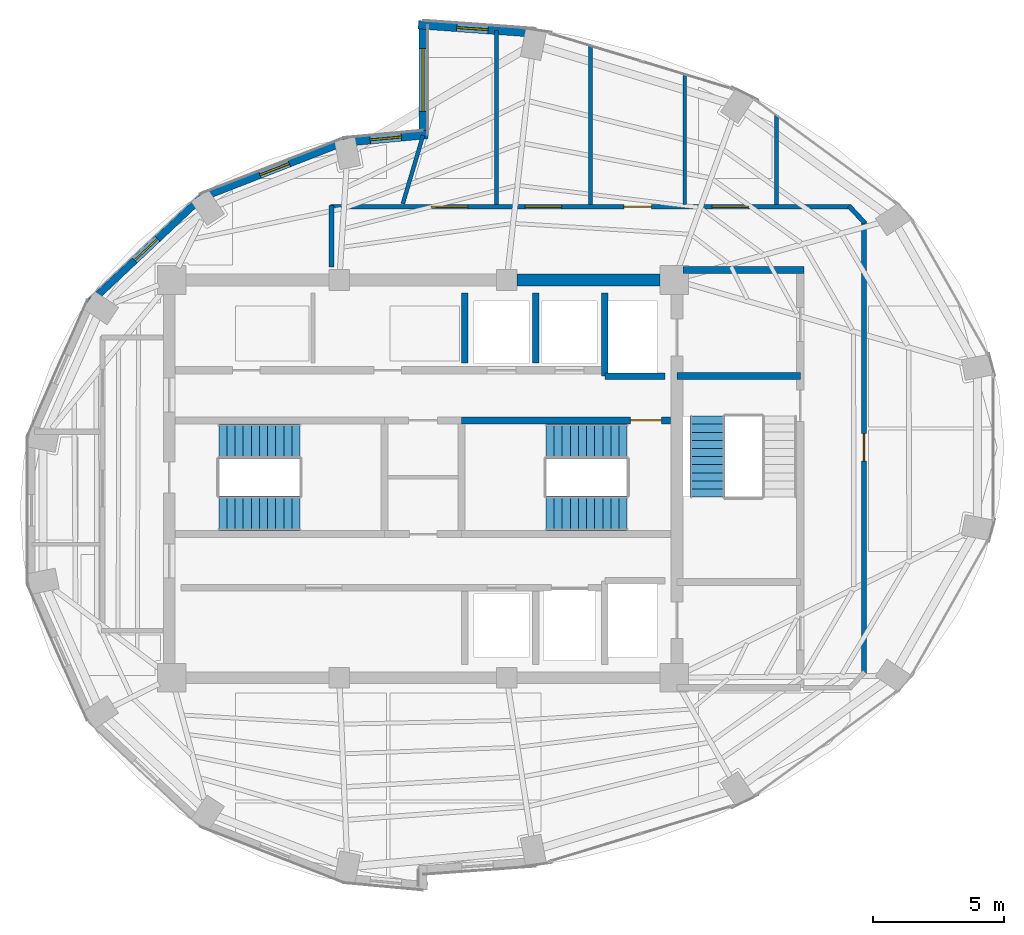
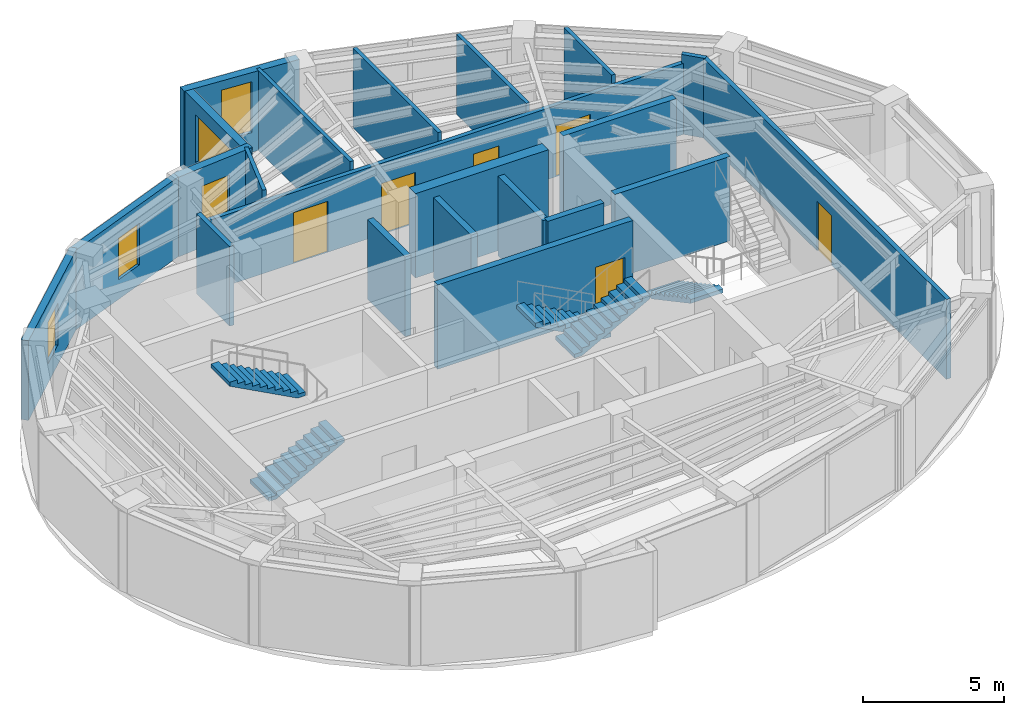
# One storey, part 10 of 13: 22 walls, 6 doors, 5 stair flights, 5 windows, 11 openings, 3 elements without a shape of their own.
"""IFC4 building model written with IfcOpenShell, lengths in metres."""

from ifc_helpers import new_model, si_unit, direction, frame, frame_2d, origin, place, context, subcontext, project, spatial, polyline, rectangle, outline, extrude, material, layer, layer_set, type_object, element, fill, aggregate, save


model = new_model("IFC4")

# Units and contexts
model_context = context("Model", 3, precision=1e-05, world=origin(), true_north=direction((0.0, 1.0)))
body_context = subcontext(model_context, "Body", "Model", "MODEL_VIEW")
ifc_project = project(units=[si_unit("LENGTHUNIT", "METRE"), si_unit("AREAUNIT", "SQUARE_METRE"), si_unit("VOLUMEUNIT", "CUBIC_METRE"), si_unit("PLANEANGLEUNIT", "RADIAN"), si_unit("MASSUNIT", "GRAM", prefix="KILO")], contexts=[model_context])

# Site, building, storey
site_placement = place(None, origin())
site = spatial("IfcSite", under=ifc_project, at=site_placement, CompositionType="ELEMENT")
building_placement = place(site_placement, origin())
building = spatial("IfcBuilding", under=site, at=building_placement, Name="Lazwardi Medical Tower", CompositionType="ELEMENT")
storey_placement = place(building_placement, frame((0.0, 0.0, 295.152099609375)))
storey = spatial("IfcBuildingStorey", under=building, at=storey_placement, Name="L77", CompositionType="ELEMENT", Elevation=295.152099609375)

# Wall
ifc_material_1 = material(Name="Fire-rated gypsum board on steel stud", Category="steel")
ifc_layer_1 = layer(ifc_material_1, 0.179931640625)
ifc_layer_set_1 = layer_set([ifc_layer_1], Name="Fire-rated gypsum board on steel stud")
wall_type_1 = type_object("IfcWallType", Name="WL-COR-180", PredefinedType="PARTITIONING", material=ifc_layer_set_1)
wall_1_placement = place(storey_placement, frame((32.5, 36.090087890625, 0.0), z_axis=(0.0, 0.0, 1.0), x_axis=(0.0, 1.0, 0.0)))
element("IfcWall", 1, at=wall_1_placement, inside=storey, type_object=wall_type_1, Name="L77 Corridor partition 1", PredefinedType="PARTITIONING", context=body_context, shape_type="SweptSolid", body=[
    extrude(rectangle(XDim=2.349853515625, YDim=0.179931640625, at=frame_2d((1.1748046875, 0.0))), origin(), (0.0, 0.0, 1.0), 3.447998046875),
])

# Wall, openings, doors
wall_2_placement = place(storey_placement, frame((32.4599609375, 38.39990234375, 0.0), z_axis=(0.0, 0.0, 1.0), x_axis=(1.0, 0.0, 0.0)))
wall_2 = element("IfcWall", 2, at=wall_2_placement, inside=storey, type_object=wall_type_1, Name="L77 Corridor partition 2", PredefinedType="PARTITIONING", context=body_context, shape_type="SweptSolid", body=[
    extrude(rectangle(XDim=19.879150390625, YDim=0.179931640625, at=frame_2d((9.939453125, 0.0))), origin(), (0.0, 0.0, 1.0), 3.072998046875),
])
opening_1_placement = place(wall_2_placement, frame((14.590087890625, 0.0, 0.0)))
opening_1 = element("IfcOpeningElement", 3, at=opening_1_placement, cuts=wall_2, Name="Opening D-L77-012", PredefinedType="OPENING", context=body_context, shape_type="SweptSolid", body=[
    extrude(rectangle(XDim=1.39990234375, YDim=2.199951171875, at=frame_2d((0.699951171875, 1.10009765625))), frame((0.0, 0.099853515625, 0.0), z_axis=(0.0, -1.0, 0.0), x_axis=(1.0, 0.0, 0.0)), (0.0, 0.0, 1.0), 0.199951171875),
])
opening_2_placement = place(wall_2_placement, frame((11.215087890625, 0.0, 0.0)))
opening_2 = element("IfcOpeningElement", 4, at=opening_2_placement, cuts=wall_2, Name="Opening D-L77-013", PredefinedType="OPENING", context=body_context, shape_type="SweptSolid", body=[
    extrude(rectangle(XDim=1.050048828125, YDim=2.14990234375, at=frame_2d((0.52490234375, 1.074951171875))), frame((0.0, 0.099853515625, 0.0), z_axis=(0.0, -1.0, 0.0), x_axis=(1.0, 0.0, 0.0)), (0.0, 0.0, 1.0), 0.199951171875),
])
opening_3_placement = place(wall_2_placement, frame((7.43994140625, 0.0, 0.0)))
opening_3 = element("IfcOpeningElement", 5, at=opening_3_placement, cuts=wall_2, Name="Opening D-L77-014", PredefinedType="OPENING", context=body_context, shape_type="SweptSolid", body=[
    extrude(rectangle(XDim=1.39990234375, YDim=2.199951171875, at=frame_2d((0.699951171875, 1.10009765625))), frame((0.0, 0.099853515625, 0.0), z_axis=(0.0, -1.0, 0.0), x_axis=(1.0, 0.0, 0.0)), (0.0, 0.0, 1.0), 0.199951171875),
])
opening_4_placement = place(wall_2_placement, frame((3.853759765625, 0.0, 0.0)))
opening_4 = element("IfcOpeningElement", 6, at=opening_4_placement, cuts=wall_2, Name="Opening D-L77-015", PredefinedType="OPENING", context=body_context, shape_type="SweptSolid", body=[
    extrude(rectangle(XDim=1.39990234375, YDim=2.199951171875, at=frame_2d((0.699951171875, 1.10009765625))), frame((0.0, 0.099853515625, 0.0), z_axis=(0.0, -1.0, 0.0), x_axis=(1.0, 0.0, 0.0)), (0.0, 0.0, 1.0), 0.199951171875),
])
ifc_material_2 = material(Name="Anti-microbial laminate hospital leaf")
door_type_1 = type_object("IfcDoorType", Name="DR-BED-1400", OperationType="NOTDEFINED", PredefinedType="DOOR", material=ifc_material_2)
door_1_placement = place(opening_1_placement, origin())
door_1 = element("IfcDoor", 7, at=door_1_placement, inside=storey, type_object=door_type_1, Name="L77 Patient Day Lounge Door 03", OperationType="SINGLE_SWING_LEFT", OverallHeight=2.199951171875, OverallWidth=1.39990234375, PredefinedType="DOOR", context=body_context, shape_type="SweptSolid", body=[
    extrude(rectangle(XDim=1.39990234375, YDim=2.199951171875, at=frame_2d((0.699951171875, 1.10009765625))), frame((0.0, 0.02490234375, 0.0), z_axis=(0.0, -1.0, 0.0), x_axis=(1.0, 0.0, 0.0)), (0.0, 0.0, 1.0), 0.050048828125),
])
fill(opening_1, door_1)
door_2_placement = place(opening_3_placement, origin())
door_2 = element("IfcDoor", 8, at=door_2_placement, inside=storey, type_object=door_type_1, Name="L77 Rehabilitation Gymnasium Door 05", OperationType="SINGLE_SWING_LEFT", OverallHeight=2.199951171875, OverallWidth=1.39990234375, PredefinedType="DOOR", context=body_context, shape_type="SweptSolid", body=[
    extrude(rectangle(XDim=1.39990234375, YDim=2.199951171875, at=frame_2d((0.699951171875, 1.10009765625))), frame((0.0, 0.02490234375, 0.0), z_axis=(0.0, -1.0, 0.0), x_axis=(1.0, 0.0, 0.0)), (0.0, 0.0, 1.0), 0.050048828125),
])
fill(opening_3, door_2)
door_3_placement = place(opening_4_placement, origin())
door_3 = element("IfcDoor", 9, at=door_3_placement, inside=storey, type_object=door_type_1, Name="L77 Rehabilitation Gymnasium Door 06", OperationType="SINGLE_SWING_RIGHT", OverallHeight=2.199951171875, OverallWidth=1.39990234375, PredefinedType="DOOR", context=body_context, shape_type="SweptSolid", body=[
    extrude(rectangle(XDim=1.39990234375, YDim=2.199951171875, at=frame_2d((0.699951171875, 1.10009765625))), frame((0.0, 0.02490234375, 0.0), z_axis=(0.0, -1.0, 0.0), x_axis=(1.0, 0.0, 0.0)), (0.0, 0.0, 1.0), 0.050048828125),
])
fill(opening_4, door_3)
door_type_2 = type_object("IfcDoorType", Name="DR-CLN-1050", OperationType="NOTDEFINED", PredefinedType="DOOR", material=ifc_material_2)
door_4_placement = place(opening_2_placement, origin())
door_4 = element("IfcDoor", 10, at=door_4_placement, inside=storey, type_object=door_type_2, Name="L77 Outpatient Consultation Suite Door 04", OperationType="SINGLE_SWING_RIGHT", OverallHeight=2.14990234375, OverallWidth=1.050048828125, PredefinedType="DOOR", context=body_context, shape_type="SweptSolid", body=[
    extrude(rectangle(XDim=1.050048828125, YDim=2.14990234375, at=frame_2d((0.52490234375, 1.074951171875))), frame((0.0, 0.02490234375, 0.0), z_axis=(0.0, -1.0, 0.0), x_axis=(1.0, 0.0, 0.0)), (0.0, 0.0, 1.0), 0.050048828125),
])
fill(opening_2, door_4)

# Wall
wall_3_placement = place(storey_placement, frame((52.271728515625, 38.42919921875, 0.0), z_axis=(0.0, 0.0, 1.0), x_axis=(0.682475113459, -0.730908831188, 0.0)))
element("IfcWall", 11, at=wall_3_placement, inside=storey, type_object=wall_type_1, Name="L77 Corridor partition 3", PredefinedType="PARTITIONING", context=body_context, shape_type="SweptSolid", body=[
    extrude(rectangle(XDim=0.88720703125, YDim=0.179931640625, at=frame_2d((0.443603515625, 0.0))), origin(), (0.0, 0.0, 1.0), 3.447998046875),
])

# Wall, opening, door
wall_4_placement = place(storey_placement, frame((52.85009765625, 37.85009765625, 0.0), z_axis=(0.0, 0.0, 1.0), x_axis=(0.0, -1.0, 0.0)))
wall_4 = element("IfcWall", 12, at=wall_4_placement, inside=storey, type_object=wall_type_1, Name="L77 Corridor partition 4", PredefinedType="PARTITIONING", context=body_context, shape_type="SweptSolid", body=[
    extrude(rectangle(XDim=17.30029296875, YDim=0.179931640625, at=frame_2d((8.650146484375, 0.0))), origin(), (0.0, 0.0, 1.0), 3.447998046875),
])
opening_5_placement = place(wall_4_placement, frame((8.125, 0.0, 0.0)))
opening_5 = element("IfcOpeningElement", 13, at=opening_5_placement, cuts=wall_4, Name="Opening D-L77-011", PredefinedType="OPENING", context=body_context, shape_type="SweptSolid", body=[
    extrude(rectangle(XDim=1.050048828125, YDim=2.14990234375, at=frame_2d((0.52490234375, 1.074951171875))), frame((0.0, 0.099853515625, 0.0), z_axis=(0.0, -1.0, 0.0), x_axis=(1.0, 0.0, 0.0)), (0.0, 0.0, 1.0), 0.199951171875),
])
door_5_placement = place(opening_5_placement, origin())
door_5 = element("IfcDoor", 14, at=door_5_placement, inside=storey, type_object=door_type_2, Name="L77 Medical Duty Staff Room Door 02", OperationType="SINGLE_SWING_RIGHT", OverallHeight=2.14990234375, OverallWidth=1.050048828125, PredefinedType="DOOR", context=body_context, shape_type="SweptSolid", body=[
    extrude(rectangle(XDim=1.050048828125, YDim=2.14990234375, at=frame_2d((0.52490234375, 1.074951171875))), frame((0.0, 0.02490234375, 0.0), z_axis=(0.0, -1.0, 0.0), x_axis=(1.0, 0.0, 0.0)), (0.0, 0.0, 1.0), 0.050048828125),
])
fill(opening_5, door_5)

# Wall
ifc_material_3 = material(Name="Concrete C60/75", Category="concrete")
ifc_layer_2 = layer(ifc_material_3, 0.449951171875)
ifc_layer_set_2 = layer_set([ifc_layer_2], Name="Concrete C60/75")
wall_type_2 = type_object("IfcWallType", Name="WL-CORE-450", PredefinedType="SHEAR", material=ifc_layer_set_2)
wall_5_placement = place(storey_placement, frame((39.60009765625, 35.60009765625, 0.0), z_axis=(0.0, 0.0, 1.0), x_axis=(1.0, 0.0, 0.0)))
element("IfcWall", 15, at=wall_5_placement, inside=storey, type_object=wall_type_2, Name="Core wall CW-S4 N3 L77", PredefinedType="SHEAR", context=body_context, shape_type="SweptSolid", body=[
    extrude(rectangle(XDim=5.449951171875, YDim=0.449951171875, at=frame_2d((2.72509765625, 0.0))), origin(), (0.0, 0.0, 1.0), 3.64794921875),
])

# Wall, opening, window
ifc_material_4 = material(Name="Precast concrete C45/55", Category="concrete")
ifc_layer_3 = layer(ifc_material_4, 0.280029296875)
ifc_layer_set_3 = layer_set([ifc_layer_3], Name="Precast concrete C45/55")
wall_type_3 = type_object("IfcWallType", Name="WL-DRUM-280", PredefinedType="SOLIDWALL", material=ifc_layer_set_3)
wall_6_placement = place(storey_placement, frame((33.227783203125, 40.964111328125, 0.0), z_axis=(0.0, 0.0, 1.0), x_axis=(-0.931716550814, -0.36318627306, 0.0)))
wall_6 = element("IfcWall", 16, at=wall_6_placement, inside=storey, type_object=wall_type_3, Name="L77 West Drum Precast Wall 1", PredefinedType="SOLIDWALL", context=body_context, shape_type="SweptSolid", body=[
    extrude(rectangle(XDim=6.22412109375, YDim=0.280029296875, at=frame_2d((3.112060546875, 0.0))), origin(), (0.0, 0.0, 1.0), 3.447998046875),
])
opening_6_placement = place(wall_6_placement, frame((2.511962890625, 0.0, 0.85009765625)))
opening_6 = element("IfcOpeningElement", 17, at=opening_6_placement, cuts=wall_6, Name="Opening WN-04", PredefinedType="OPENING", context=body_context, shape_type="SweptSolid", body=[
    extrude(rectangle(XDim=1.199951171875, YDim=1.800048828125, at=frame_2d((0.60009765625, 0.89990234375))), frame((0.0, 0.14990234375, 0.0), z_axis=(0.0, -1.0, 0.0), x_axis=(1.0, 0.0, 0.0)), (0.0, 0.0, 1.0), 0.300048828125),
])
ifc_material_5 = material(Name="Low-e bronze solar control double glazing", Category="glass")
window_type_1 = type_object("IfcWindowType", Name="WIN-DRUM-1200", PartitioningType="SINGLE_PANEL", PredefinedType="WINDOW", material=ifc_material_5)
window_1_placement = place(opening_6_placement, origin())
window_1 = element("IfcWindow", 18, at=window_1_placement, inside=storey, type_object=window_type_1, Name="L77 West Drum Window 1", OverallHeight=1.800048828125, OverallWidth=1.199951171875, PartitioningType="SINGLE_PANEL", PredefinedType="WINDOW", context=body_context, shape_type="SweptSolid", body=[
    extrude(rectangle(XDim=1.199951171875, YDim=1.800048828125, at=frame_2d((0.60009765625, 0.89990234375))), frame((0.0, 0.030029296875, 0.0), z_axis=(0.0, -1.0, 0.0), x_axis=(1.0, 0.0, 0.0)), (0.0, 0.0, 1.0), 0.06005859375),
])
fill(opening_6, window_1)

wall_7_placement = place(storey_placement, frame((27.5947265625, 38.808349609375, 0.0), z_axis=(0.0, 0.0, 1.0), x_axis=(-0.728251519923, -0.685309947199, 0.0)))
wall_7 = element("IfcWall", 19, at=wall_7_placement, inside=storey, type_object=wall_type_3, Name="L77 West Drum Precast Wall 2", PredefinedType="SOLIDWALL", context=body_context, shape_type="SweptSolid", body=[
    extrude(rectangle(XDim=5.98095703125, YDim=0.280029296875, at=frame_2d((2.990478515625, 0.0))), origin(), (0.0, 0.0, 1.0), 3.447998046875),
])
opening_7_placement = place(wall_7_placement, frame((2.390625, 0.0, 0.85009765625)))
opening_7 = element("IfcOpeningElement", 20, at=opening_7_placement, cuts=wall_7, Name="Opening WN-04", PredefinedType="OPENING", context=body_context, shape_type="SweptSolid", body=[
    extrude(rectangle(XDim=1.199951171875, YDim=1.800048828125, at=frame_2d((0.60009765625, 0.89990234375))), frame((0.0, 0.14990234375, 0.0), z_axis=(0.0, -1.0, 0.0), x_axis=(1.0, 0.0, 0.0)), (0.0, 0.0, 1.0), 0.300048828125),
])
window_2_placement = place(opening_7_placement, origin())
window_2 = element("IfcWindow", 21, at=window_2_placement, inside=storey, type_object=window_type_1, Name="L77 West Drum Window 2", OverallHeight=1.800048828125, OverallWidth=1.199951171875, PartitioningType="SINGLE_PANEL", PredefinedType="WINDOW", context=body_context, shape_type="SweptSolid", body=[
    extrude(rectangle(XDim=1.199951171875, YDim=1.800048828125, at=frame_2d((0.60009765625, 0.89990234375))), frame((0.0, 0.030029296875, 0.0), z_axis=(0.0, -1.0, 0.0), x_axis=(1.0, 0.0, 0.0)), (0.0, 0.0, 1.0), 0.06005859375),
])
fill(opening_7, window_2)

ifc_layer_4 = layer(ifc_material_4, 0.320068359375)
ifc_layer_set_4 = layer_set([ifc_layer_4], Name="Precast concrete C45/55")
wall_type_4 = type_object("IfcWallType", Name="WL-IWAN-320", PredefinedType="SOLIDWALL", material=ifc_layer_set_4)
wall_8_placement = place(storey_placement, frame((40.349609375, 45.0263671875, 0.0), z_axis=(0.0, 0.0, 1.0), x_axis=(-0.997412917451, 0.071885131294, 0.0)))
wall_8 = element("IfcWall", 22, at=wall_8_placement, inside=storey, type_object=wall_type_4, Name="L77 Iwan Portal Return Wall NE_ret", PredefinedType="SOLIDWALL", context=body_context, shape_type="SweptSolid", body=[
    extrude(rectangle(XDim=4.540771484375, YDim=0.320068359375, at=frame_2d((2.2705078125, 0.0))), origin(), (0.0, 0.0, 1.0), 3.447998046875),
])
opening_8_placement = place(wall_8_placement, frame((1.8681640625, 0.0, 0.85009765625)))
opening_8 = element("IfcOpeningElement", 23, at=opening_8_placement, cuts=wall_8, Name="Opening WN-01", PredefinedType="OPENING", context=body_context, shape_type="SweptSolid", body=[
    extrude(rectangle(XDim=1.199951171875, YDim=2.199951171875, at=frame_2d((0.60009765625, 1.10009765625))), frame((0.0, 0.169921875, 0.0), z_axis=(0.0, -1.0, 0.0), x_axis=(1.0, 0.0, 0.0)), (0.0, 0.0, 1.0), 0.340087890625),
])
window_type_2 = type_object("IfcWindowType", Name="WIN-IW-1200", PartitioningType="SINGLE_PANEL", PredefinedType="WINDOW", material=ifc_material_5)
window_3_placement = place(opening_8_placement, origin())
window_3 = element("IfcWindow", 24, at=window_3_placement, inside=storey, type_object=window_type_2, Name="L77 Iwan Slot Window NE_ret", OverallHeight=2.199951171875, OverallWidth=1.199951171875, PartitioningType="SINGLE_PANEL", PredefinedType="WINDOW", context=body_context, shape_type="SweptSolid", body=[
    extrude(rectangle(XDim=1.199951171875, YDim=2.199951171875, at=frame_2d((0.60009765625, 1.10009765625))), frame((0.0, 0.030029296875, 0.0), z_axis=(0.0, -1.0, 0.0), x_axis=(1.0, 0.0, 0.0)), (0.0, 0.0, 1.0), 0.06005859375),
])
fill(opening_8, window_3)

wall_9_placement = place(storey_placement, frame((36.178955078125, 41.156494140625, 0.0), z_axis=(0.0, 0.0, 1.0), x_axis=(-0.995736155144, -0.092247001792, 0.0)))
wall_9 = element("IfcWall", 25, at=wall_9_placement, inside=storey, type_object=wall_type_4, Name="L77 Iwan Portal Return Wall NW_ret", PredefinedType="SOLIDWALL", context=body_context, shape_type="SweptSolid", body=[
    extrude(rectangle(XDim=3.215576171875, YDim=0.320068359375, at=frame_2d((1.60791015625, 0.0))), origin(), (0.0, 0.0, 1.0), 3.447998046875),
])
opening_9_placement = place(wall_9_placement, frame((1.0078125, 0.0, 0.85009765625)))
opening_9 = element("IfcOpeningElement", 26, at=opening_9_placement, cuts=wall_9, Name="Opening WN-04", PredefinedType="OPENING", context=body_context, shape_type="SweptSolid", body=[
    extrude(rectangle(XDim=1.199951171875, YDim=1.800048828125, at=frame_2d((0.60009765625, 0.89990234375))), frame((0.0, 0.169921875, 0.0), z_axis=(0.0, -1.0, 0.0), x_axis=(1.0, 0.0, 0.0)), (0.0, 0.0, 1.0), 0.340087890625),
])
window_4_placement = place(opening_9_placement, origin())
window_4 = element("IfcWindow", 27, at=window_4_placement, inside=storey, type_object=window_type_1, Name="L77 Iwan Slot Window NW_ret", OverallHeight=1.800048828125, OverallWidth=1.199951171875, PartitioningType="SINGLE_PANEL", PredefinedType="WINDOW", context=body_context, shape_type="SweptSolid", body=[
    extrude(rectangle(XDim=1.199951171875, YDim=1.800048828125, at=frame_2d((0.60009765625, 0.89990234375))), frame((0.0, 0.030029296875, 0.0), z_axis=(0.0, -1.0, 0.0), x_axis=(1.0, 0.0, 0.0)), (0.0, 0.0, 1.0), 0.06005859375),
])
fill(opening_9, window_4)

wall_10_placement = place(storey_placement, frame((36.0, 45.5, 0.0), z_axis=(0.0, 0.0, 1.0), x_axis=(0.0, -1.0, 0.0)))
wall_10 = element("IfcWall", 28, at=wall_10_placement, inside=storey, type_object=wall_type_4, Name="L77 Turquoise Tilework Iwan Seam Wall N_seam", PredefinedType="SOLIDWALL", context=body_context, shape_type="SweptSolid", body=[
    extrude(rectangle(XDim=4.52001953125, YDim=0.320068359375, at=frame_2d((2.260009765625, 0.0))), origin(), (0.0, 0.0, 1.0), 3.447998046875),
])
opening_10_placement = place(wall_10_placement, frame((1.06005859375, 0.0, 0.840087890625)))
opening_10 = element("IfcOpeningElement", 29, at=opening_10_placement, cuts=wall_10, Name="Opening WN-02", PredefinedType="OPENING", context=body_context, shape_type="SweptSolid", body=[
    extrude(rectangle(XDim=2.39990234375, YDim=2.0400390625, at=frame_2d((1.199951171875, 1.02001953125))), frame((0.0, 0.169921875, 0.0), z_axis=(0.0, -1.0, 0.0), x_axis=(1.0, 0.0, 0.0)), (0.0, 0.0, 1.0), 0.340087890625),
])
window_type_3 = type_object("IfcWindowType", Name="WIN-IW-2400", PartitioningType="SINGLE_PANEL", PredefinedType="WINDOW", material=ifc_material_5)
window_5_placement = place(opening_10_placement, origin())
window_5 = element("IfcWindow", 30, at=window_5_placement, inside=storey, type_object=window_type_3, Name="L77 Iwan Seam Window N_seam", OverallHeight=2.0400390625, OverallWidth=2.39990234375, PartitioningType="SINGLE_PANEL", PredefinedType="WINDOW", context=body_context, shape_type="SweptSolid", body=[
    extrude(rectangle(XDim=2.39990234375, YDim=2.0400390625, at=frame_2d((1.199951171875, 1.02001953125))), frame((0.0, 0.030029296875, 0.0), z_axis=(0.0, -1.0, 0.0), x_axis=(1.0, 0.0, 0.0)), (0.0, 0.0, 1.0), 0.06005859375),
])
fill(opening_10, window_5)

# Walls
ifc_material_6 = material(Name="Autoclaved aerated concrete blockwork", Category="masonry")
ifc_layer_5 = layer(ifc_material_6, 0.25)
ifc_layer_set_5 = layer_set([ifc_layer_5], Name="Autoclaved aerated concrete blockwork")
wall_type_5 = type_object("IfcWallType", Name="WL-SHAFT-250", PredefinedType="SOLIDWALL", material=ifc_layer_set_5)
wall_11_placement = place(storey_placement, frame((42.949951171875, 31.919921875, 0.0), z_axis=(0.0, 0.0, 1.0), x_axis=(0.0, 1.0, 0.0)))
element("IfcWall", 31, at=wall_11_placement, inside=storey, type_object=wall_type_5, Name="L77 FL-01 West shaft wall", PredefinedType="SOLIDWALL", context=body_context, shape_type="SweptSolid", body=[
    extrude(rectangle(XDim=3.18017578125, YDim=0.25, at=frame_2d((1.590087890625, 0.0))), origin(), (0.0, 0.0, 1.0), 3.447998046875),
])
wall_12_placement = place(storey_placement, frame((42.949951171875, 31.919921875, 0.0), z_axis=(0.0, 0.0, 1.0), x_axis=(1.0, 0.0, 0.0)))
element("IfcWall", 32, at=wall_12_placement, inside=storey, type_object=wall_type_5, Name="L77 FL-01 South shaft wall", PredefinedType="SOLIDWALL", context=body_context, shape_type="SweptSolid", body=[
    extrude(rectangle(XDim=2.300048828125, YDim=0.25, at=frame_2d((1.14990234375, 0.0))), origin(), (0.0, 0.0, 1.0), 3.447998046875),
])
for number, where, z_axis, x_axis, name in (
    (33, (37.60009765625, 32.419921875, 0.0), (0.0, 0.0, 1.0), (0.0, 1.0, 0.0), "L77 North hoistway divider"),
    (34, (40.300048828125, 32.419921875, 0.0), (0.0, 0.0, 1.0), (0.0, 1.0, 0.0), "L77 North hoistway divider"),
):
    element("IfcWall", number, at=place(storey_placement, frame(where, z_axis=z_axis, x_axis=x_axis)), inside=storey, type_object=wall_type_5, Name=name, PredefinedType="SOLIDWALL", context=body_context, shape_type="SweptSolid", body=[
        extrude(rectangle(XDim=2.68017578125, YDim=0.25, at=frame_2d((1.340087890625, 0.0))), origin(), (0.0, 0.0, 1.0), 3.447998046875),
    ])

# Wall, opening, door
ifc_material_7 = material(Name="Concrete C50/60", Category="concrete")
ifc_layer_6 = layer(ifc_material_7, 0.27001953125)
ifc_layer_set_6 = layer_set([ifc_layer_6], Name="Concrete C50/60")
wall_type_6 = type_object("IfcWallType", Name="WL-STR-250", PredefinedType="SHEAR", material=ifc_layer_set_6)
wall_13_placement = place(storey_placement, frame((37.465087890625, 30.235107421875, 0.0), z_axis=(0.0, 0.0, 1.0), x_axis=(1.0, 0.0, 0.0)))
wall_13 = element("IfcWall", 35, at=wall_13_placement, inside=storey, type_object=wall_type_6, Name="L77 ST2 North shear shaft wall SW-S1", PredefinedType="SHEAR", context=body_context, shape_type="SweptSolid", body=[
    extrude(rectangle(XDim=7.98486328125, YDim=0.27001953125, at=frame_2d((3.992431640625, 0.0))), origin(), (0.0, 0.0, 1.0), 3.64794921875),
])
opening_11_placement = place(wall_13_placement, frame((6.455078125, 0.0, 0.0)))
opening_11 = element("IfcOpeningElement", 36, at=opening_11_placement, cuts=wall_13, Name="Opening D-L77-018", PredefinedType="OPENING", context=body_context, shape_type="SweptSolid", body=[
    extrude(rectangle(XDim=1.199951171875, YDim=2.14990234375, at=frame_2d((0.60009765625, 1.074951171875))), frame((0.0, 0.14501953125, 0.0), z_axis=(0.0, -1.0, 0.0), x_axis=(1.0, 0.0, 0.0)), (0.0, 0.0, 1.0), 0.2900390625),
])
ifc_material_8 = material(Name="Fire-rated steel leaf and frame", Category="steel")
door_type_3 = type_object("IfcDoorType", Name="DR-STR-1200", OperationType="NOTDEFINED", PredefinedType="DOOR", material=ifc_material_8)
door_6_placement = place(opening_11_placement, origin())
door_6 = element("IfcDoor", 37, at=door_6_placement, inside=storey, type_object=door_type_3, Name="L77 Exit Stair ST2 Door", OperationType="SINGLE_SWING_RIGHT", OverallHeight=2.14990234375, OverallWidth=1.199951171875, PredefinedType="DOOR", context=body_context, shape_type="SweptSolid", body=[
    extrude(rectangle(XDim=1.199951171875, YDim=2.14990234375, at=frame_2d((0.60009765625, 1.074951171875))), frame((0.0, 0.02490234375, 0.0), z_axis=(0.0, -1.0, 0.0), x_axis=(1.0, 0.0, 0.0)), (0.0, 0.0, 1.0), 0.050048828125),
])
fill(opening_11, door_6)

# Walls
wall_14_placement = place(storey_placement, frame((45.925048828125, 35.97998046875, 0.0), z_axis=(0.0, 0.0, 1.0), x_axis=(1.0, 0.0, 0.0)))
element("IfcWall", 38, at=wall_14_placement, inside=storey, type_object=wall_type_6, Name="L77 FFL-N North shear wall SW-S1", PredefinedType="SHEAR", context=body_context, shape_type="SweptSolid", body=[
    extrude(rectangle(XDim=4.625, YDim=0.27001953125, at=frame_2d((2.3125, 0.0))), origin(), (0.0, 0.0, 1.0), 3.64794921875),
])
wall_15_placement = place(storey_placement, frame((45.699951171875, 31.93505859375, 0.0), z_axis=(0.0, 0.0, 1.0), x_axis=(1.0, 0.0, 0.0)))
element("IfcWall", 39, at=wall_15_placement, inside=storey, type_object=wall_type_6, Name="L77 ST3 North shear shaft wall SW-S1", PredefinedType="SHEAR", context=body_context, shape_type="SweptSolid", body=[
    extrude(rectangle(XDim=4.715087890625, YDim=0.27001953125, at=frame_2d((2.357421875, 0.0))), origin(), (0.0, 0.0, 1.0), 3.64794921875),
])
ifc_material_9 = material(Name="Acoustic gypsum board partition")
ifc_layer_7 = layer(ifc_material_9, 0.14990234375)
ifc_layer_set_7 = layer_set([ifc_layer_7], Name="Acoustic gypsum board partition")
wall_type_7 = type_object("IfcWallType", Name="WL-WRD-150", PredefinedType="PARTITIONING", material=ifc_layer_set_7)
wall_16_placement = place(storey_placement, frame((35.228515625, 38.510986328125, 0.0), z_axis=(0.0, 0.0, 1.0), x_axis=(0.28355057677, 0.958957282893, 0.0)))
element("IfcWall", 40, at=wall_16_placement, inside=storey, type_object=wall_type_7, Name="L77 Room partition 3", PredefinedType="PARTITIONING", context=body_context, shape_type="SweptSolid", body=[
    extrude(rectangle(XDim=2.720703125, YDim=0.14990234375, at=frame_2d((1.3603515625, 0.0))), origin(), (0.0, 0.0, 1.0), 3.447998046875),
])
wall_17_placement = place(storey_placement, frame((38.800048828125, 38.489990234375, 0.0), z_axis=(0.0, 0.0, 1.0), x_axis=(0.0, 1.0, 0.0)))
element("IfcWall", 41, at=wall_17_placement, inside=storey, type_object=wall_type_7, Name="L77 Room partition 4", PredefinedType="PARTITIONING", context=body_context, shape_type="SweptSolid", body=[
    extrude(rectangle(XDim=6.64453125, YDim=0.14990234375, at=frame_2d((3.322265625, 0.0))), origin(), (0.0, 0.0, 1.0), 3.447998046875),
])
wall_18_placement = place(storey_placement, frame((42.39990234375, 38.489990234375, 0.0), z_axis=(0.0, 0.0, 1.0), x_axis=(0.0, 1.0, 0.0)))
element("IfcWall", 42, at=wall_18_placement, inside=storey, type_object=wall_type_7, Name="L77 Room partition 5", PredefinedType="PARTITIONING", context=body_context, shape_type="SweptSolid", body=[
    extrude(rectangle(XDim=6.036376953125, YDim=0.14990234375, at=frame_2d((3.01806640625, 0.0))), origin(), (0.0, 0.0, 1.0), 3.447998046875),
])
wall_19_placement = place(storey_placement, frame((46.0, 38.489990234375, 0.0), z_axis=(0.0, 0.0, 1.0), x_axis=(0.0, 1.0, 0.0)))
element("IfcWall", 43, at=wall_19_placement, inside=storey, type_object=wall_type_7, Name="L77 Room partition 6", PredefinedType="PARTITIONING", context=body_context, shape_type="SweptSolid", body=[
    extrude(rectangle(XDim=4.943115234375, YDim=0.14990234375, at=frame_2d((2.4716796875, 0.0))), origin(), (0.0, 0.0, 1.0), 3.447998046875),
])
wall_20_placement = place(storey_placement, frame((49.5, 38.489990234375, 0.0), z_axis=(0.0, 0.0, 1.0), x_axis=(0.0, 1.0, 0.0)))
element("IfcWall", 44, at=wall_20_placement, inside=storey, type_object=wall_type_7, Name="L77 Room partition 7", PredefinedType="PARTITIONING", context=body_context, shape_type="SweptSolid", body=[
    extrude(rectangle(XDim=3.387451171875, YDim=0.14990234375, at=frame_2d((1.69384765625, 0.0))), origin(), (0.0, 0.0, 1.0), 3.447998046875),
])

# Stair, stair flights
ifc_material_10 = material(Name="Concrete C45/55", Category="concrete")
stair_type = type_object("IfcStairType", Name="STR-WRD", PredefinedType="HALF_TURN_STAIR", material=ifc_material_10)
stair_1_placement = place(storey_placement, origin())
stair_1 = element("IfcStair", 45, at=stair_1_placement, inside=storey, type_object=stair_type, Name="L77 Protected Exit Stair ST1", PredefinedType="HALF_TURN_STAIR")
stair_flight_type = type_object("IfcStairFlightType", Name="FLT-WRD", PredefinedType="STRAIGHT", material=ifc_material_10)
stair_flight_1_placement = place(storey_placement, frame((28.199951171875, 26.679931640625, 0.0), z_axis=(0.0, 0.0, 1.0), x_axis=(1.0, 0.0, 0.0)))
stair_flight_1 = element("IfcStairFlight", 46, at=stair_flight_1_placement, type_object=stair_flight_type, Name="ST1 flight 1", NumberOfRisers=11, NumberOfTreads=10, PredefinedType="STRAIGHT", RiserHeight=0.165818182, TreadLength=0.31, context=body_context, shape_type="SweptSolid", body=[
    extrude(outline(polyline([(0.0, 0.0), (0.0, 0.165771484375), (0.31005859375, 0.165771484375), (0.31005859375, 0.33154296875), (0.6201171875, 0.33154296875), (0.6201171875, 0.49755859375), (0.929931640625, 0.49755859375), (0.929931640625, 0.663330078125), (1.239990234375, 0.663330078125), (1.239990234375, 0.8291015625), (1.550048828125, 0.8291015625), (1.550048828125, 0.994873046875), (1.860107421875, 0.994873046875), (1.860107421875, 1.16064453125), (2.169921875, 1.16064453125), (2.169921875, 1.32666015625), (2.47998046875, 1.32666015625), (2.47998046875, 1.492431640625), (2.7900390625, 1.492431640625), (2.7900390625, 1.658203125), (3.10009765625, 1.658203125), (3.10009765625, 1.823974609375), (3.10009765625, 1.48828125), (0.31787109375, 0.0), (0.0, 0.0)])), frame((0.0, 0.66015625, 0.0), z_axis=(0.0, -1.0, 0.0), x_axis=(1.0, 0.0, 0.0)), (0.0, 0.0, 1.0), 1.320068359375),
])
stair_flight_2_placement = place(storey_placement, frame((31.300048828125, 29.43994140625, 1.823974609375), z_axis=(0.0, 0.0, 1.0), x_axis=(-1.0, 0.0, 0.0)))
stair_flight_2 = element("IfcStairFlight", 47, at=stair_flight_2_placement, type_object=stair_flight_type, Name="ST1 flight 2", NumberOfRisers=11, NumberOfTreads=10, PredefinedType="STRAIGHT", RiserHeight=0.165818182, TreadLength=0.31, context=body_context, shape_type="SweptSolid", body=[
    extrude(outline(polyline([(0.0, 0.0), (0.0, 0.165771484375), (0.31005859375, 0.165771484375), (0.31005859375, 0.33154296875), (0.6201171875, 0.33154296875), (0.6201171875, 0.49755859375), (0.929931640625, 0.49755859375), (0.929931640625, 0.663330078125), (1.239990234375, 0.663330078125), (1.239990234375, 0.8291015625), (1.550048828125, 0.8291015625), (1.550048828125, 0.994873046875), (1.860107421875, 0.994873046875), (1.860107421875, 1.16064453125), (2.169921875, 1.16064453125), (2.169921875, 1.32666015625), (2.47998046875, 1.32666015625), (2.47998046875, 1.492431640625), (2.7900390625, 1.492431640625), (2.7900390625, 1.658203125), (3.10009765625, 1.658203125), (3.10009765625, 1.823974609375), (3.10009765625, 1.48828125), (0.31787109375, 0.0), (0.0, 0.0)])), frame((0.0, 0.66015625, 0.0), z_axis=(0.0, -1.0, 0.0), x_axis=(1.0, 0.0, 0.0)), (0.0, 0.0, 1.0), 1.320068359375),
])
aggregate(stair_1, [stair_flight_1, stair_flight_2])

stair_2_placement = place(storey_placement, origin())
stair_2 = element("IfcStair", 48, at=stair_2_placement, inside=storey, type_object=stair_type, Name="L77 Protected Exit Stair ST2", PredefinedType="HALF_TURN_STAIR")
stair_flight_3_placement = place(storey_placement, frame((43.800048828125, 29.43994140625, 0.0), z_axis=(0.0, 0.0, 1.0), x_axis=(-1.0, 0.0, 0.0)))
stair_flight_3 = element("IfcStairFlight", 49, at=stair_flight_3_placement, type_object=stair_flight_type, Name="ST2 flight 1", NumberOfRisers=11, NumberOfTreads=10, PredefinedType="STRAIGHT", RiserHeight=0.165818182, TreadLength=0.31, context=body_context, shape_type="SweptSolid", body=[
    extrude(outline(polyline([(0.0, 0.0), (0.0, 0.165771484375), (0.31005859375, 0.165771484375), (0.31005859375, 0.33154296875), (0.6201171875, 0.33154296875), (0.6201171875, 0.49755859375), (0.929931640625, 0.49755859375), (0.929931640625, 0.663330078125), (1.239990234375, 0.663330078125), (1.239990234375, 0.8291015625), (1.550048828125, 0.8291015625), (1.550048828125, 0.994873046875), (1.860107421875, 0.994873046875), (1.860107421875, 1.16064453125), (2.169921875, 1.16064453125), (2.169921875, 1.32666015625), (2.47998046875, 1.32666015625), (2.47998046875, 1.492431640625), (2.7900390625, 1.492431640625), (2.7900390625, 1.658203125), (3.10009765625, 1.658203125), (3.10009765625, 1.823974609375), (3.10009765625, 1.48828125), (0.31787109375, 0.0), (0.0, 0.0)])), frame((0.0, 0.66015625, 0.0), z_axis=(0.0, -1.0, 0.0), x_axis=(1.0, 0.0, 0.0)), (0.0, 0.0, 1.0), 1.320068359375),
])
stair_flight_4_placement = place(storey_placement, frame((40.699951171875, 26.679931640625, 1.823974609375), z_axis=(0.0, 0.0, 1.0), x_axis=(1.0, 0.0, 0.0)))
stair_flight_4 = element("IfcStairFlight", 50, at=stair_flight_4_placement, type_object=stair_flight_type, Name="ST2 flight 2", NumberOfRisers=11, NumberOfTreads=10, PredefinedType="STRAIGHT", RiserHeight=0.165818182, TreadLength=0.31, context=body_context, shape_type="SweptSolid", body=[
    extrude(outline(polyline([(0.0, 0.0), (0.0, 0.165771484375), (0.31005859375, 0.165771484375), (0.31005859375, 0.33154296875), (0.6201171875, 0.33154296875), (0.6201171875, 0.49755859375), (0.929931640625, 0.49755859375), (0.929931640625, 0.663330078125), (1.239990234375, 0.663330078125), (1.239990234375, 0.8291015625), (1.550048828125, 0.8291015625), (1.550048828125, 0.994873046875), (1.860107421875, 0.994873046875), (1.860107421875, 1.16064453125), (2.169921875, 1.16064453125), (2.169921875, 1.32666015625), (2.47998046875, 1.32666015625), (2.47998046875, 1.492431640625), (2.7900390625, 1.492431640625), (2.7900390625, 1.658203125), (3.10009765625, 1.658203125), (3.10009765625, 1.823974609375), (3.10009765625, 1.48828125), (0.31787109375, 0.0), (0.0, 0.0)])), frame((0.0, 0.66015625, 0.0), z_axis=(0.0, -1.0, 0.0), x_axis=(1.0, 0.0, 0.0)), (0.0, 0.0, 1.0), 1.320068359375),
])
aggregate(stair_2, [stair_flight_3, stair_flight_4])

# Stair, stair flight
stair_3_placement = place(storey_placement, origin())
stair_3 = element("IfcStair", 51, at=stair_3_placement, inside=storey, type_object=stair_type, Name="L77 Protected Exit Stair ST3", PredefinedType="HALF_TURN_STAIR")
stair_flight_5_placement = place(storey_placement, frame((46.860107421875, 30.39990234375, 0.0), z_axis=(0.0, 0.0, 1.0), x_axis=(0.0, -1.0, 0.0)))
stair_flight_5 = element("IfcStairFlight", 52, at=stair_flight_5_placement, type_object=stair_flight_type, Name="ST3 flight 1", NumberOfRisers=11, NumberOfTreads=10, PredefinedType="STRAIGHT", RiserHeight=0.165818182, TreadLength=0.31, context=body_context, shape_type="SweptSolid", body=[
    extrude(outline(polyline([(0.0, 0.0), (0.0, 0.165771484375), (0.31005859375, 0.165771484375), (0.31005859375, 0.33154296875), (0.6201171875, 0.33154296875), (0.6201171875, 0.49755859375), (0.929931640625, 0.49755859375), (0.929931640625, 0.663330078125), (1.239990234375, 0.663330078125), (1.239990234375, 0.8291015625), (1.550048828125, 0.8291015625), (1.550048828125, 0.994873046875), (1.860107421875, 0.994873046875), (1.860107421875, 1.16064453125), (2.169921875, 1.16064453125), (2.169921875, 1.32666015625), (2.47998046875, 1.32666015625), (2.47998046875, 1.492431640625), (2.7900390625, 1.492431640625), (2.7900390625, 1.658203125), (3.10009765625, 1.658203125), (3.10009765625, 1.823974609375), (3.10009765625, 1.48828125), (0.31787109375, 0.0), (0.0, 0.0)])), frame((0.0, 0.66015625, 0.0), z_axis=(0.0, -1.0, 0.0), x_axis=(1.0, 0.0, 0.0)), (0.0, 0.0, 1.0), 1.320068359375),
])
aggregate(stair_3, [stair_flight_5])

save(model, "model.ifc")
